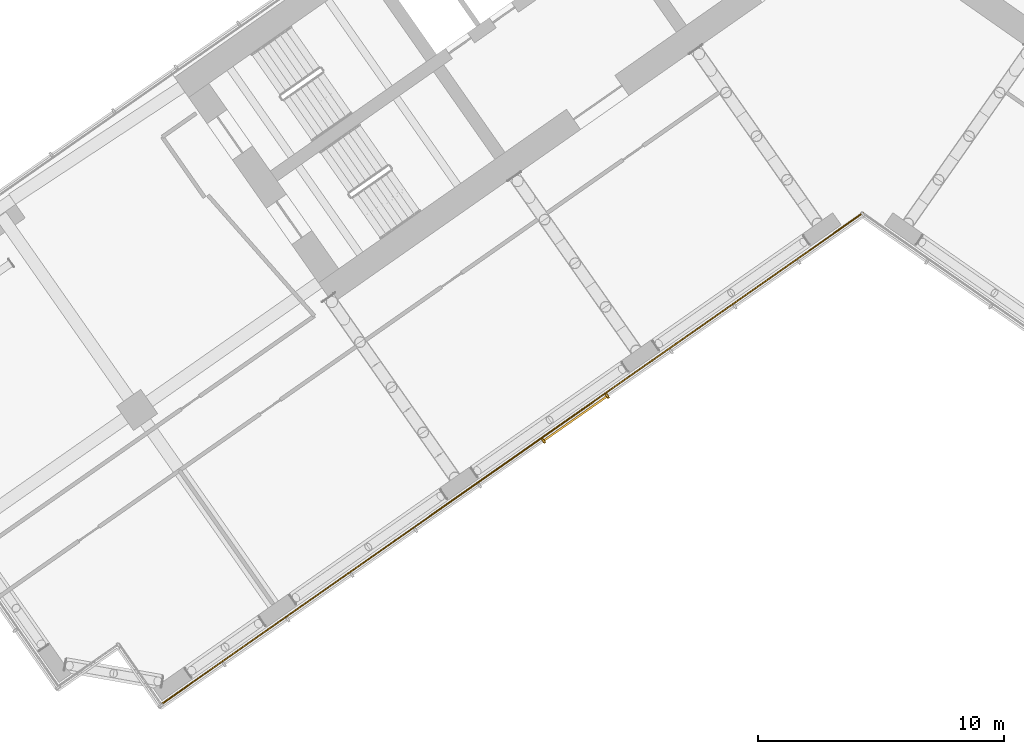
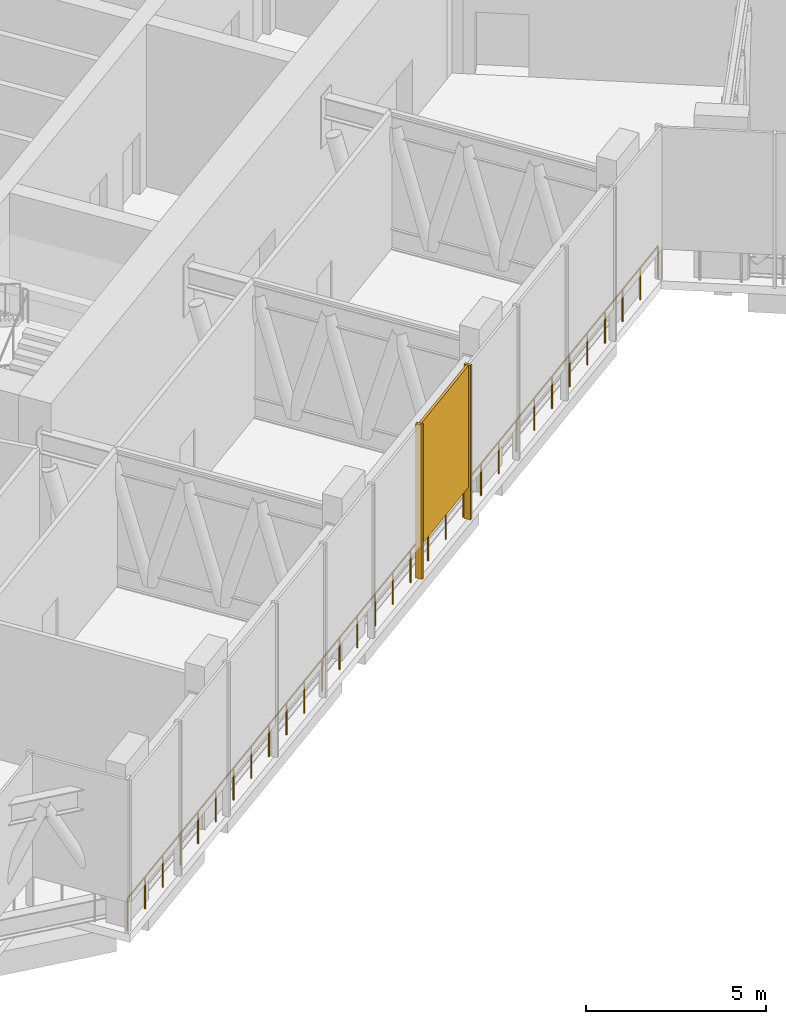
# One storey, part 17 of 24: 3 shading devices, 1 railing.
"""IFC4 building model written with IfcOpenShell, lengths in metres."""

from ifc_helpers import new_model, si_unit, direction, frame, origin, origin_2d, place, context, subcontext, project, spatial, rectangle, circle, extrude, material, layer, layer_set, type_object, element, save


model = new_model("IFC4")

# Units and contexts
model_context = context("Model", 3, precision=1e-05, world=origin(), true_north=direction((0.0, 1.0)))
body_context = subcontext(model_context, "Body", "Model", "MODEL_VIEW")
ifc_project = project(units=[si_unit("LENGTHUNIT", "METRE"), si_unit("AREAUNIT", "SQUARE_METRE"), si_unit("VOLUMEUNIT", "CUBIC_METRE"), si_unit("PLANEANGLEUNIT", "RADIAN"), si_unit("MASSUNIT", "GRAM", prefix="KILO")], contexts=[model_context])

# Site, building, storey
site_placement = place(None, origin())
site = spatial("IfcSite", under=ifc_project, at=site_placement, CompositionType="ELEMENT")
building_placement = place(site_placement, origin())
building = spatial("IfcBuilding", under=site, at=building_placement, Name="Tel Ilan Convention Tower", CompositionType="ELEMENT")
storey_placement = place(building_placement, frame((0.0, 0.0, 126.5)))
storey = spatial("IfcBuildingStorey", under=building, at=storey_placement, Name="L28", CompositionType="ELEMENT", Elevation=126.5)

# Shading device
ifc_material_1 = material(Name="Perforated aluminium sheet, bronze anodised", Category="aluminium")
ifc_layer_1 = layer(ifc_material_1, 0.080078125)
ifc_layer_set_1 = layer_set([ifc_layer_1], Name="PERFORATED SCREEN 80")
shading_device_type_1 = type_object("IfcShadingDeviceType", Name="PERFORATED SCREEN 80", PredefinedType="USERDEFINED", material=ifc_layer_set_1)
shading_device_placement = place(storey_placement, frame((-11.677734375, -20.9951171875, 1.099853515625), z_axis=(0.0, 0.0, 1.0), x_axis=(0.819152044289, 0.573576436351, 0.0)))
element("IfcShadingDevice", 1, at=shading_device_placement, inside=storey, type_object=shading_device_type_1, Name="SCREEN", ObjectType="SCREEN", PredefinedType="USERDEFINED", context=body_context, shape_type="SweptSolid", body=[
    extrude(rectangle(XDim=3.10791015625, YDim=0.080078125, at=origin_2d()), origin(), (0.0, 0.0, 1.0), 4.1201171875),
])

# Railing
ifc_material_2 = material(Name="Stainless steel S316", Category="steel")
railing_type = type_object("IfcRailingType", Name="REFUGE EDGE GUARD 1100", PredefinedType="GUARDRAIL", material=ifc_material_2)
railing_placement = place(storey_placement, frame((0.0, -12.647216796875, 0.0)))
element("IfcRailing", 2, at=railing_placement, inside=storey, type_object=railing_type, Name="Refuge edge guard 22.R14", PredefinedType="GUARDRAIL", context=body_context, shape_type="SweptSolid", body=[
    extrude(circle(Radius=0.02490234375, at=origin_2d()), frame((0.0, 0.0, 1.0751953125), z_axis=(-0.81915084706, -0.573578146168, 0.0), x_axis=(0.573578146168, -0.81915084706, 0.0)), (0.0, 0.0, 1.0), 34.805908203125),
    extrude(circle(Radius=0.02490234375, at=origin_2d()), origin(), (0.0, 0.0, 1.0), 1.050048828125),
    extrude(circle(Radius=0.02490234375, at=origin_2d()), frame((-0.950439453125, -0.66552734375, 0.0)), (0.0, 0.0, 1.0), 1.050048828125),
    extrude(circle(Radius=0.02490234375, at=origin_2d()), frame((-1.900634765625, -1.330810546875, 0.0)), (0.0, 0.0, 1.0), 1.050048828125),
    extrude(circle(Radius=0.02490234375, at=origin_2d()), frame((-2.85107421875, -1.996337890625, 0.0)), (0.0, 0.0, 1.0), 1.050048828125),
    extrude(circle(Radius=0.02490234375, at=origin_2d()), frame((-3.801513671875, -2.661865234375, 0.0)), (0.0, 0.0, 1.0), 1.050048828125),
    extrude(circle(Radius=0.02490234375, at=origin_2d()), frame((-4.751953125, -3.327392578125, 0.0)), (0.0, 0.0, 1.0), 1.050048828125),
    extrude(circle(Radius=0.02490234375, at=origin_2d()), frame((-5.7021484375, -3.99267578125, 0.0)), (0.0, 0.0, 1.0), 1.050048828125),
    extrude(circle(Radius=0.02490234375, at=origin_2d()), frame((-6.652587890625, -4.658203125, 0.0)), (0.0, 0.0, 1.0), 1.050048828125),
    extrude(circle(Radius=0.02490234375, at=origin_2d()), frame((-7.60302734375, -5.32373046875, 0.0)), (0.0, 0.0, 1.0), 1.050048828125),
    extrude(circle(Radius=0.02490234375, at=origin_2d()), frame((-8.553466796875, -5.9892578125, 0.0)), (0.0, 0.0, 1.0), 1.050048828125),
    extrude(circle(Radius=0.02490234375, at=origin_2d()), frame((-9.503662109375, -6.654541015625, 0.0)), (0.0, 0.0, 1.0), 1.050048828125),
    extrude(circle(Radius=0.02490234375, at=origin_2d()), frame((-10.4541015625, -7.320068359375, 0.0)), (0.0, 0.0, 1.0), 1.050048828125),
    extrude(circle(Radius=0.02490234375, at=origin_2d()), frame((-11.404541015625, -7.985595703125, 0.0)), (0.0, 0.0, 1.0), 1.050048828125),
    extrude(circle(Radius=0.02490234375, at=origin_2d()), frame((-12.35498046875, -8.651123046875, 0.0)), (0.0, 0.0, 1.0), 1.050048828125),
    extrude(circle(Radius=0.02490234375, at=origin_2d()), frame((-13.30517578125, -9.31640625, 0.0)), (0.0, 0.0, 1.0), 1.050048828125),
    extrude(circle(Radius=0.02490234375, at=origin_2d()), frame((-14.255615234375, -9.98193359375, 0.0)), (0.0, 0.0, 1.0), 1.050048828125),
    extrude(circle(Radius=0.02490234375, at=origin_2d()), frame((-15.2060546875, -10.6474609375, 0.0)), (0.0, 0.0, 1.0), 1.050048828125),
    extrude(circle(Radius=0.02490234375, at=origin_2d()), frame((-16.15625, -11.312744140625, 0.0)), (0.0, 0.0, 1.0), 1.050048828125),
    extrude(circle(Radius=0.02490234375, at=origin_2d()), frame((-17.106689453125, -11.978271484375, 0.0)), (0.0, 0.0, 1.0), 1.050048828125),
    extrude(circle(Radius=0.02490234375, at=origin_2d()), frame((-18.05712890625, -12.643798828125, 0.0)), (0.0, 0.0, 1.0), 1.050048828125),
    extrude(circle(Radius=0.02490234375, at=origin_2d()), frame((-19.007568359375, -13.309326171875, 0.0)), (0.0, 0.0, 1.0), 1.050048828125),
    extrude(circle(Radius=0.02490234375, at=origin_2d()), frame((-19.957763671875, -13.974609375, 0.0)), (0.0, 0.0, 1.0), 1.050048828125),
    extrude(circle(Radius=0.02490234375, at=origin_2d()), frame((-20.908203125, -14.64013671875, 0.0)), (0.0, 0.0, 1.0), 1.050048828125),
    extrude(circle(Radius=0.02490234375, at=origin_2d()), frame((-21.858642578125, -15.3056640625, 0.0)), (0.0, 0.0, 1.0), 1.050048828125),
    extrude(circle(Radius=0.02490234375, at=origin_2d()), frame((-22.80908203125, -15.97119140625, 0.0)), (0.0, 0.0, 1.0), 1.050048828125),
    extrude(circle(Radius=0.02490234375, at=origin_2d()), frame((-23.75927734375, -16.636474609375, 0.0)), (0.0, 0.0, 1.0), 1.050048828125),
    extrude(circle(Radius=0.02490234375, at=origin_2d()), frame((-24.709716796875, -17.302001953125, 0.0)), (0.0, 0.0, 1.0), 1.050048828125),
    extrude(circle(Radius=0.02490234375, at=origin_2d()), frame((-25.66015625, -17.967529296875, 0.0)), (0.0, 0.0, 1.0), 1.050048828125),
    extrude(circle(Radius=0.02490234375, at=origin_2d()), frame((-26.610595703125, -18.633056640625, 0.0)), (0.0, 0.0, 1.0), 1.050048828125),
    extrude(circle(Radius=0.02490234375, at=origin_2d()), frame((-27.560791015625, -19.29833984375, 0.0)), (0.0, 0.0, 1.0), 1.050048828125),
    extrude(circle(Radius=0.02490234375, at=origin_2d()), frame((-28.51123046875, -19.9638671875, 0.0)), (0.0, 0.0, 1.0), 1.050048828125),
])

# Shading devices
ifc_material_3 = material(Name="Aluminium, bronze anodised", Category="aluminium")
ifc_layer_2 = layer(ifc_material_3, 0.080078125)
ifc_layer_set_2 = layer_set([ifc_layer_2], Name="SCREEN POST 80x200")
shading_device_type_2 = type_object("IfcShadingDeviceType", Name="SCREEN POST 80x200", PredefinedType="USERDEFINED", material=ifc_layer_set_2)
for number, where, z_axis, x_axis, name in (
    (3, (-12.975341796875, -21.903564453125, 0.0), (0.0, 0.0, 1.0), (0.819152044289, 0.573576436351, 0.0), "Screen post"),
    (4, (-10.380126953125, -20.08642578125, 0.0), (0.0, 0.0, 1.0), (0.819152044289, 0.573576436351, 0.0), "Screen post"),
):
    element("IfcShadingDevice", number, at=place(storey_placement, frame(where, z_axis=z_axis, x_axis=x_axis)), inside=storey, type_object=shading_device_type_2, Name=name, ObjectType="SCREEN POST", PredefinedType="USERDEFINED", context=body_context, shape_type="SweptSolid", body=[
        extrude(rectangle(XDim=0.080078125, YDim=0.199951171875, at=origin_2d()), origin(), (0.0, 0.0, 1.0), 5.219970703125),
    ])

save(model, "model.ifc")
